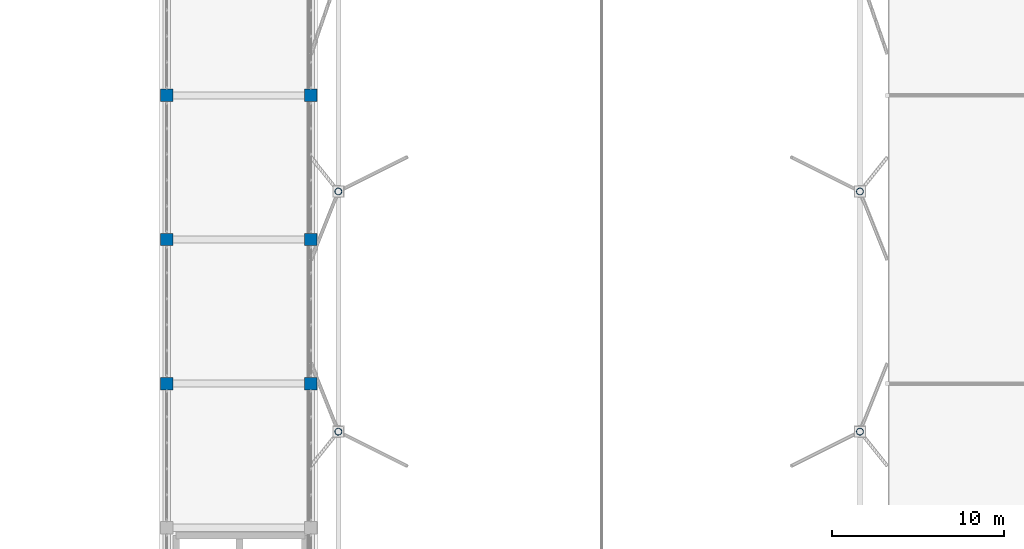
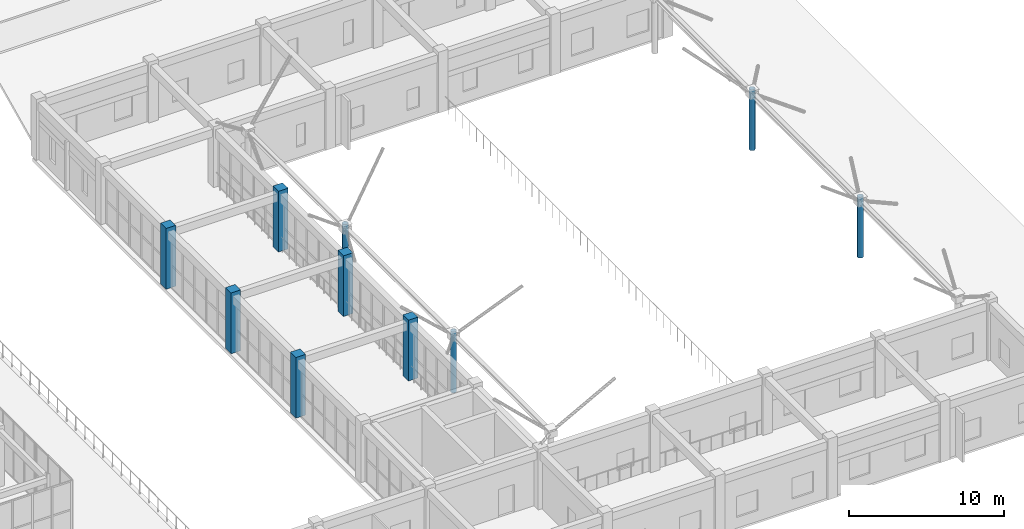
# One storey, part 13 of 158: 10 columns.
"""IFC4 building model written with IfcOpenShell, lengths in metres."""

from ifc_helpers import new_model, si_unit, direction, frame, origin, origin_2d, place, context, subcontext, project, spatial, rectangle, hollow_circle, extrude, material, material_profile, profile_set, type_object, element, save


model = new_model("IFC4")

# Units and contexts
model_context = context("Model", 3, precision=1e-05, world=origin(), true_north=direction((0.0, 1.0)))
body_context = subcontext(model_context, "Body", "Model", "MODEL_VIEW")
ifc_project = project(units=[si_unit("LENGTHUNIT", "METRE"), si_unit("AREAUNIT", "SQUARE_METRE"), si_unit("VOLUMEUNIT", "CUBIC_METRE"), si_unit("PLANEANGLEUNIT", "RADIAN"), si_unit("MASSUNIT", "GRAM", prefix="KILO")], contexts=[model_context])

# Site, building, storey
site_placement = place(None, origin())
site = spatial("IfcSite", under=ifc_project, at=site_placement, CompositionType="ELEMENT")
building_placement = place(site_placement, origin())
building = spatial("IfcBuilding", under=site, at=building_placement, Name="Trelvath General Hospital", CompositionType="ELEMENT")
storey_placement = place(building_placement, frame((0.0, 0.0, 8.10009765625)))
storey = spatial("IfcBuildingStorey", under=building, at=storey_placement, Name="L02", CompositionType="ELEMENT", Elevation=8.10009765625)

# Columns
ifc_material_1 = material(Name="Concrete C40/50", Category="concrete")
ifc_material_profile_1 = material_profile(ifc_material_1, rectangle(XDim=0.719970703125, YDim=0.719970703125, at=origin_2d()), Name="RC720x720")
ifc_profile_set_1 = profile_set([ifc_material_profile_1], Name="Concrete C40/50")
column_type_1 = type_object("IfcColumnType", Name="Column RC720", PredefinedType="COLUMN", material=ifc_profile_set_1)
for number, where, z_axis, x_axis, name in (
    (1, (134.39990234375, 42.0, 0.0), (0.0, 0.0, 1.0), (1.0, 0.0, 0.0), "Column C-17F L02"),
    (2, (134.39990234375, 50.39990234375, 0.0), (0.0, 0.0, 1.0), (1.0, 0.0, 0.0), "Column C-17G L02"),
    (3, (134.39990234375, 58.800048828125, 0.0), (0.0, 0.0, 1.0), (1.0, 0.0, 0.0), "Column C-17H L02"),
    (4, (142.800048828125, 42.0, 0.0), (0.0, 0.0, 1.0), (1.0, 0.0, 0.0), "Column C-18F L02"),
    (5, (142.800048828125, 50.39990234375, 0.0), (0.0, 0.0, 1.0), (1.0, 0.0, 0.0), "Column C-18G L02"),
    (6, (142.800048828125, 58.800048828125, 0.0), (0.0, 0.0, 1.0), (1.0, 0.0, 0.0), "Column C-18H L02"),
):
    element("IfcColumn", number, at=place(storey_placement, frame(where, z_axis=z_axis, x_axis=x_axis)), inside=storey, type_object=column_type_1, Name=name, PredefinedType="COLUMN", context=body_context, shape_type="SweptSolid", body=[
        extrude(rectangle(XDim=0.719970703125, YDim=0.719970703125, at=origin_2d()), origin(), (0.0, 0.0, 1.0), 4.7998046875),
    ])
ifc_material_2 = material(Name="Steel S355", Category="steel")
ifc_material_profile_2 = material_profile(ifc_material_2, hollow_circle(Radius=0.203125, WallThickness=0.01416015625, at=origin_2d()), Name="CHS406.4x14.2")
ifc_profile_set_2 = profile_set([ifc_material_profile_2], Name="Steel S355")
column_type_2 = type_object("IfcColumnType", Name="TreeColumn CHS406", PredefinedType="COLUMN", material=ifc_profile_set_2)
for number, where, z_axis, x_axis, name in (
    (7, (144.39990234375, 39.199951171875, 0.0), (0.0, 0.0, 1.0), (1.0, 0.0, 0.0), "Space Frame Tree Column TC-02 L02"),
    (8, (144.39990234375, 53.199951171875, 0.0), (0.0, 0.0, 1.0), (1.0, 0.0, 0.0), "Space Frame Tree Column TC-03 L02"),
    (9, (174.800048828125, 39.199951171875, 0.0), (0.0, 0.0, 1.0), (1.0, 0.0, 0.0), "Space Frame Tree Column TC-06 L02"),
    (10, (174.800048828125, 53.199951171875, 0.0), (0.0, 0.0, 1.0), (1.0, 0.0, 0.0), "Space Frame Tree Column TC-07 L02"),
):
    element("IfcColumn", number, at=place(storey_placement, frame(where, z_axis=z_axis, x_axis=x_axis)), inside=storey, type_object=column_type_2, Name=name, PredefinedType="COLUMN", context=body_context, shape_type="SweptSolid", body=[
        extrude(hollow_circle(Radius=0.203125, WallThickness=0.01416015625, at=origin_2d()), origin(), (0.0, 0.0, 1.0), 4.7998046875),
    ])

save(model, "model.ifc")
